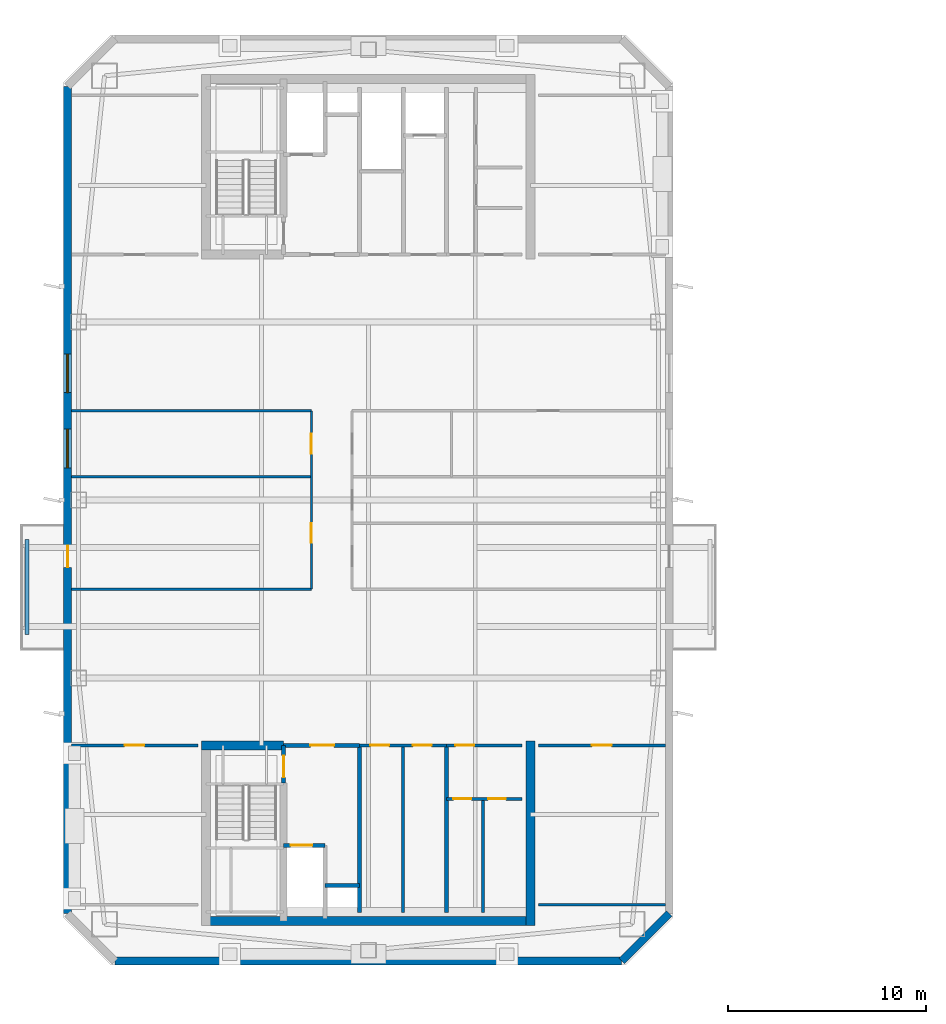
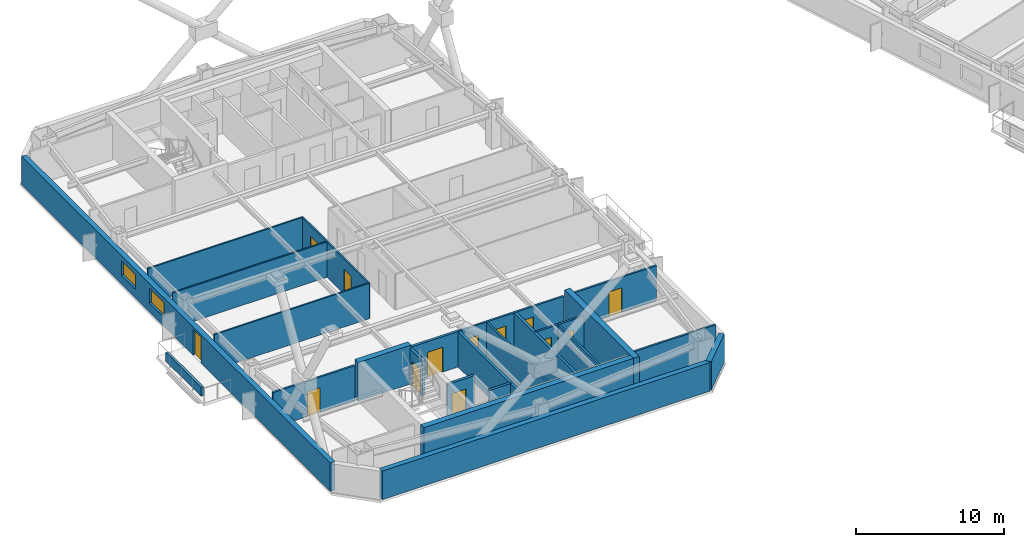
# One storey, part 6 of 18: 25 walls, 13 doors, 2 windows, 15 openings.
"""IFC4 building model written with IfcOpenShell, lengths in metres."""

from ifc_helpers import new_model, si_unit, direction, frame, frame_2d, origin, place, context, subcontext, project, spatial, rectangle, extrude, material, layer, layer_set, type_object, element, fill, save


model = new_model("IFC4")

# Units and contexts
model_context = context("Model", 3, precision=1e-05, world=origin(), true_north=direction((0.0, 1.0)))
body_context = subcontext(model_context, "Body", "Model", "MODEL_VIEW")
ifc_project = project(units=[si_unit("LENGTHUNIT", "METRE"), si_unit("AREAUNIT", "SQUARE_METRE"), si_unit("VOLUMEUNIT", "CUBIC_METRE"), si_unit("PLANEANGLEUNIT", "RADIAN"), si_unit("MASSUNIT", "GRAM", prefix="KILO")], contexts=[model_context])

# Site, building, storey
site_placement = place(None, origin())
site = spatial("IfcSite", under=ifc_project, at=site_placement, CompositionType="ELEMENT")
building_placement = place(site_placement, origin())
building = spatial("IfcBuilding", under=site, at=building_placement, Name="Qiaolan Cultural Towers", CompositionType="ELEMENT")
storey_placement = place(building_placement, frame((0.0, 0.0, 237.60009765625)))
storey = spatial("IfcBuildingStorey", under=building, at=storey_placement, Name="L64", CompositionType="ELEMENT", Elevation=237.60009765625)

# Walls
ifc_material_1 = material(Name="Concrete C50", Category="concrete")
ifc_layer_1 = layer(ifc_material_1, 0.449951171875)
ifc_layer_set_1 = layer_set([ifc_layer_1], Name="Concrete C50")
wall_type_1 = type_object("IfcWallType", Name="WL-CORE-450", PredefinedType="SHEAR", material=ifc_layer_set_1)
wall_1_placement = place(storey_placement, frame((21.574951171875, 12.719970703125, 0.0), z_axis=(0.0, 0.0, 1.0), x_axis=(1.0, 0.0, 0.0)))
element("IfcWall", 1, at=wall_1_placement, inside=storey, type_object=wall_type_1, Name="L64 T1-CS Outer Core Shear Wall", PredefinedType="SHEAR", context=body_context, shape_type="SweptSolid", body=[
    extrude(rectangle(XDim=16.85009765625, YDim=0.449951171875, at=frame_2d((8.425048828125, 0.0))), origin(), (0.0, 0.0, 1.0), 3.199951171875),
])
wall_2_placement = place(storey_placement, frame((38.199951171875, 21.824951171875, 0.0), z_axis=(0.0, 0.0, 1.0), x_axis=(0.0, -1.0, 0.0)))
element("IfcWall", 2, at=wall_2_placement, inside=storey, type_object=wall_type_1, Name="L64 T1-CS East Core Shear Wall", PredefinedType="SHEAR", context=body_context, shape_type="SweptSolid", body=[
    extrude(rectangle(XDim=9.329833984375, YDim=0.449951171875, at=frame_2d((4.6650390625, 0.0))), origin(), (0.0, 0.0, 1.0), 3.199951171875),
])
wall_3_placement = place(storey_placement, frame((21.574951171875, 21.60009765625, 0.0), z_axis=(0.0, 0.0, 1.0), x_axis=(1.0, 0.0, 0.0)))
element("IfcWall", 3, at=wall_3_placement, inside=storey, type_object=wall_type_1, Name="L64 T1-CS Stair Front Shear Wall", PredefinedType="SHEAR", context=body_context, shape_type="SweptSolid", body=[
    extrude(rectangle(XDim=4.14501953125, YDim=0.449951171875, at=frame_2d((2.072509765625, 0.0))), origin(), (0.0, 0.0, 1.0), 3.199951171875),
])

# Wall, openings, door, windows
ifc_material_2 = material(Name="Precast Concrete C50 Honed Stone Pier", Category="masonry")
ifc_layer_2 = layer(ifc_material_2, 0.39990234375)
ifc_layer_set_2 = layer_set([ifc_layer_2], Name="Precast Concrete C50 Honed Stone Pier")
wall_type_2 = type_object("IfcWallType", Name="WL-EXT-PIER-400", PredefinedType="SOLIDWALL", material=ifc_layer_set_2)
wall_4_placement = place(storey_placement, frame((14.800048828125, 13.10009765625, 0.0), z_axis=(0.0, 0.0, 1.0), x_axis=(0.0, 1.0, 0.0)))
wall_4 = element("IfcWall", 4, at=wall_4_placement, inside=storey, type_object=wall_type_2, Name="L64 West Tower Precast Pier Facade Wall F1", PredefinedType="SOLIDWALL", context=body_context, shape_type="SweptSolid", body=[
    extrude(rectangle(XDim=41.7998046875, YDim=0.39990234375, at=frame_2d((20.89990234375, 0.0))), origin(), (0.0, 0.0, 1.0), 2.35986328125),
])
opening_1_placement = place(wall_4_placement, frame((22.52490234375, 0.0, 0.75)))
opening_1 = element("IfcOpeningElement", 5, at=opening_1_placement, cuts=wall_4, Name="Opening W-06", PredefinedType="OPENING", context=body_context, shape_type="SweptSolid", body=[
    extrude(rectangle(XDim=1.949951171875, YDim=1.2099609375, at=frame_2d((0.97509765625, 0.60498046875))), frame((0.0, 0.2099609375, 0.0), z_axis=(0.0, -1.0, 0.0), x_axis=(1.0, 0.0, 0.0)), (0.0, 0.0, 1.0), 0.419921875),
])
opening_2_placement = place(wall_4_placement, frame((26.324951171875, 0.0, 0.75)))
opening_2 = element("IfcOpeningElement", 6, at=opening_2_placement, cuts=wall_4, Name="Opening W-06", PredefinedType="OPENING", context=body_context, shape_type="SweptSolid", body=[
    extrude(rectangle(XDim=1.949951171875, YDim=1.2099609375, at=frame_2d((0.97509765625, 0.60498046875))), frame((0.0, 0.2099609375, 0.0), z_axis=(0.0, -1.0, 0.0), x_axis=(1.0, 0.0, 0.0)), (0.0, 0.0, 1.0), 0.419921875),
])
opening_3_placement = place(wall_4_placement, frame((17.5, 0.0, 0.0)))
opening_3 = element("IfcOpeningElement", 7, at=opening_3_placement, cuts=wall_4, Name="Opening BD-01", PredefinedType="OPENING", context=body_context, shape_type="SweptSolid", body=[
    extrude(rectangle(XDim=1.10009765625, YDim=2.14990234375, at=frame_2d((0.550048828125, 1.074951171875))), frame((0.0, 0.2099609375, 0.0), z_axis=(0.0, -1.0, 0.0), x_axis=(1.0, 0.0, 0.0)), (0.0, 0.0, 1.0), 0.419921875),
])
ifc_material_3 = material(Name="Thermally Broken Aluminium Glazed Terrace Door", Category="aluminium")
door_type_1 = type_object("IfcDoorType", Name="DR-BAL-1100", OperationType="NOTDEFINED", PredefinedType="DOOR", material=ifc_material_3)
door_1_placement = place(opening_3_placement, origin())
door_1 = element("IfcDoor", 8, at=door_1_placement, inside=storey, type_object=door_type_1, Name="L64 T1 West Tree Balcony Door", OperationType="SINGLE_SWING_LEFT", OverallHeight=2.14990234375, OverallWidth=1.10009765625, PredefinedType="DOOR", context=body_context, shape_type="SweptSolid", body=[
    extrude(rectangle(XDim=1.10009765625, YDim=2.14990234375, at=frame_2d((0.550048828125, 1.074951171875))), frame((0.0, 0.02490234375, 0.0), z_axis=(0.0, -1.0, 0.0), x_axis=(1.0, 0.0, 0.0)), (0.0, 0.0, 1.0), 0.050048828125),
])
fill(opening_3, door_1)
ifc_material_4 = material(Name="Thermally Broken Aluminium Triple Low-E Glazing", Category="aluminium")
window_type = type_object("IfcWindowType", Name="WN-CHIC-1950", PartitioningType="SINGLE_PANEL", PredefinedType="WINDOW", material=ifc_material_4)
window_1_placement = place(opening_1_placement, origin())
window_1 = element("IfcWindow", 9, at=window_1_placement, inside=storey, type_object=window_type, Name="L64 T1 W Chicago Bay Window 1", OverallHeight=1.2099609375, OverallWidth=1.949951171875, PartitioningType="TRIPLE_PANEL_VERTICAL", PredefinedType="WINDOW", context=body_context, shape_type="SweptSolid", body=[
    extrude(rectangle(XDim=1.949951171875, YDim=1.2099609375, at=frame_2d((0.97509765625, 0.60498046875))), frame((0.0, 0.030029296875, 0.0), z_axis=(0.0, -1.0, 0.0), x_axis=(1.0, 0.0, 0.0)), (0.0, 0.0, 1.0), 0.06005859375),
])
fill(opening_1, window_1)
window_2_placement = place(opening_2_placement, origin())
window_2 = element("IfcWindow", 10, at=window_2_placement, inside=storey, type_object=window_type, Name="L64 T1 W Chicago Bay Window 2", OverallHeight=1.2099609375, OverallWidth=1.949951171875, PartitioningType="TRIPLE_PANEL_VERTICAL", PredefinedType="WINDOW", context=body_context, shape_type="SweptSolid", body=[
    extrude(rectangle(XDim=1.949951171875, YDim=1.2099609375, at=frame_2d((0.97509765625, 0.60498046875))), frame((0.0, 0.030029296875, 0.0), z_axis=(0.0, -1.0, 0.0), x_axis=(1.0, 0.0, 0.0)), (0.0, 0.0, 1.0), 0.06005859375),
])
fill(opening_2, window_2)

# Walls
wall_5_placement = place(storey_placement, frame((45.199951171875, 13.10009765625, 0.0), z_axis=(0.0, 0.0, 1.0), x_axis=(-0.707070815327, -0.707142745217, 0.0)))
element("IfcWall", 11, at=wall_5_placement, inside=storey, type_object=wall_type_2, Name="L64 West Tower Precast Pier Facade Wall F6", PredefinedType="SOLIDWALL", context=body_context, shape_type="SweptSolid", body=[
    extrude(rectangle(XDim=3.39404296875, YDim=0.39990234375, at=frame_2d((1.697021484375, 0.0))), origin(), (0.0, 0.0, 1.0), 2.35986328125),
])
wall_6_placement = place(storey_placement, frame((42.800048828125, 10.699951171875, 0.0), z_axis=(0.0, 0.0, 1.0), x_axis=(-1.0, 0.0, 0.0)))
element("IfcWall", 12, at=wall_6_placement, inside=storey, type_object=wall_type_2, Name="L64 West Tower Precast Pier Facade Wall F7", PredefinedType="SOLIDWALL", context=body_context, shape_type="SweptSolid", body=[
    extrude(rectangle(XDim=25.60009765625, YDim=0.39990234375, at=frame_2d((12.800048828125, 0.0))), origin(), (0.0, 0.0, 1.0), 2.35986328125),
])

# Wall, opening, door
ifc_material_5 = material(Name="Concrete C35 Fire Wall", Category="concrete")
ifc_layer_3 = layer(ifc_material_5, 0.199951171875)
ifc_layer_set_3 = layer_set([ifc_layer_3], Name="Concrete C35 Fire Wall")
wall_type_3 = type_object("IfcWallType", Name="WL-FIRE-200", PredefinedType="PARTITIONING", material=ifc_layer_set_3)
wall_7_placement = place(storey_placement, frame((25.719970703125, 21.60009765625, 0.0), z_axis=(0.0, 0.0, 1.0), x_axis=(0.0, -1.0, 0.0)))
wall_7 = element("IfcWall", 13, at=wall_7_placement, inside=storey, type_object=wall_type_3, Name="L64 T1-CS Smokeproof Stair Entry Wall", PredefinedType="PARTITIONING", context=body_context, shape_type="SweptSolid", body=[
    extrude(rectangle(XDim=1.900146484375, YDim=0.199951171875, at=frame_2d((0.9501953125, 0.0))), origin(), (0.0, 0.0, 1.0), 2.9248046875),
])
opening_4_placement = place(wall_7_placement, frame((0.52001953125, 0.0, 0.0)))
opening_4 = element("IfcOpeningElement", 14, at=opening_4_placement, cuts=wall_7, Name="Opening FD-04", PredefinedType="OPENING", context=body_context, shape_type="SweptSolid", body=[
    extrude(rectangle(XDim=1.10009765625, YDim=2.050048828125, at=frame_2d((0.550048828125, 1.02490234375))), frame((0.0, 0.10986328125, 0.0), z_axis=(0.0, -1.0, 0.0), x_axis=(1.0, 0.0, 0.0)), (0.0, 0.0, 1.0), 0.219970703125),
])
ifc_material_6 = material(Name="Galvanized Steel Command Fire Door", Category="steel")
door_type_2 = type_object("IfcDoorType", Name="DR-FD90-1100", OperationType="NOTDEFINED", PredefinedType="DOOR", material=ifc_material_6)
door_2_placement = place(opening_4_placement, origin())
door_2 = element("IfcDoor", 15, at=door_2_placement, inside=storey, type_object=door_type_2, Name="L64 ST-W1 Smokeproof Stair Fire Door", OperationType="SINGLE_SWING_LEFT", OverallHeight=2.050048828125, OverallWidth=1.10009765625, PredefinedType="DOOR", context=body_context, shape_type="SweptSolid", body=[
    extrude(rectangle(XDim=1.10009765625, YDim=2.050048828125, at=frame_2d((0.550048828125, 1.02490234375))), frame((0.0, 0.02490234375, 0.0), z_axis=(0.0, -1.0, 0.0), x_axis=(1.0, 0.0, 0.0)), (0.0, 0.0, 1.0), 0.050048828125),
])
fill(opening_4, door_2)

# Wall
wall_8_placement = place(storey_placement, frame((29.550048828125, 21.60009765625, 0.0), z_axis=(0.0, 0.0, 1.0), x_axis=(0.0, -1.0, 0.0)))
element("IfcWall", 16, at=wall_8_placement, inside=storey, type_object=wall_type_3, Name="L64 T1-CS Firefighting Zone Wall", PredefinedType="PARTITIONING", context=body_context, shape_type="SweptSolid", body=[
    extrude(rectangle(XDim=8.43017578125, YDim=0.199951171875, at=frame_2d((4.215087890625, 0.0))), origin(), (0.0, 0.0, 1.0), 2.9248046875),
])

# Wall, opening, door
wall_9_placement = place(storey_placement, frame((25.719970703125, 21.60009765625, 0.0), z_axis=(0.0, 0.0, 1.0), x_axis=(1.0, 0.0, 0.0)))
wall_9 = element("IfcWall", 17, at=wall_9_placement, inside=storey, type_object=wall_type_3, Name="L64 T1-CS Firefighting Lobby Front Wall", PredefinedType="PARTITIONING", context=body_context, shape_type="SweptSolid", body=[
    extrude(rectangle(XDim=3.830078125, YDim=0.199951171875, at=frame_2d((1.9150390625, 0.0))), origin(), (0.0, 0.0, 1.0), 2.9248046875),
])
opening_5_placement = place(wall_9_placement, frame((1.35009765625, 0.0, 0.0)))
opening_5 = element("IfcOpeningElement", 18, at=opening_5_placement, cuts=wall_9, Name="Opening FD-03", PredefinedType="OPENING", context=body_context, shape_type="SweptSolid", body=[
    extrude(rectangle(XDim=1.199951171875, YDim=2.050048828125, at=frame_2d((0.60009765625, 1.02490234375))), frame((0.0, 0.10986328125, 0.0), z_axis=(0.0, -1.0, 0.0), x_axis=(1.0, 0.0, 0.0)), (0.0, 0.0, 1.0), 0.219970703125),
])
ifc_material_7 = material(Name="Galvanized Steel Smokeproof Lobby Fire Door", Category="steel")
door_type_3 = type_object("IfcDoorType", Name="DR-FD90-1200", OperationType="NOTDEFINED", PredefinedType="DOOR", material=ifc_material_7)
door_3_placement = place(opening_5_placement, origin())
door_3 = element("IfcDoor", 19, at=door_3_placement, inside=storey, type_object=door_type_3, Name="L64 FFL-W1 Firefighting Lobby Fire Door", OperationType="SINGLE_SWING_LEFT", OverallHeight=2.050048828125, OverallWidth=1.199951171875, PredefinedType="DOOR", context=body_context, shape_type="SweptSolid", body=[
    extrude(rectangle(XDim=1.199951171875, YDim=2.050048828125, at=frame_2d((0.60009765625, 1.02490234375))), frame((0.0, 0.02490234375, 0.0), z_axis=(0.0, -1.0, 0.0), x_axis=(1.0, 0.0, 0.0)), (0.0, 0.0, 1.0), 0.050048828125),
])
fill(opening_5, door_3)

wall_10_placement = place(storey_placement, frame((25.719970703125, 16.550048828125, 0.0), z_axis=(0.0, 0.0, 1.0), x_axis=(1.0, 0.0, 0.0)))
wall_10 = element("IfcWall", 20, at=wall_10_placement, inside=storey, type_object=wall_type_3, Name="L64 T1-CS Firefighting Shaft Front Wall", PredefinedType="PARTITIONING", context=body_context, shape_type="SweptSolid", body=[
    extrude(rectangle(XDim=2.10009765625, YDim=0.199951171875, at=frame_2d((1.050048828125, 0.0))), origin(), (0.0, 0.0, 1.0), 2.9248046875),
])
opening_6_placement = place(wall_10_placement, frame((0.35009765625, 0.0, 0.0)))
opening_6 = element("IfcOpeningElement", 21, at=opening_6_placement, cuts=wall_10, Name="Opening LD-01", PredefinedType="OPENING", context=body_context, shape_type="SweptSolid", body=[
    extrude(rectangle(XDim=1.10009765625, YDim=2.050048828125, at=frame_2d((0.550048828125, 1.02490234375))), frame((0.0, 0.10986328125, 0.0), z_axis=(0.0, -1.0, 0.0), x_axis=(1.0, 0.0, 0.0)), (0.0, 0.0, 1.0), 0.219970703125),
])
ifc_material_8 = material(Name="Brushed Stainless Steel S30408 Centre-Parting Lift Landing Door", Category="steel")
door_type_4 = type_object("IfcDoorType", Name="DR-LIFT-1100", OperationType="NOTDEFINED", PredefinedType="DOOR", material=ifc_material_8)
door_4_placement = place(opening_6_placement, origin())
door_4 = element("IfcDoor", 22, at=door_4_placement, inside=storey, type_object=door_type_4, Name="L64 FFL-W1 Firefighting Lift Landing Door", OperationType="DOUBLE_DOOR_SLIDING", OverallHeight=2.050048828125, OverallWidth=1.10009765625, PredefinedType="DOOR", context=body_context, shape_type="SweptSolid", body=[
    extrude(rectangle(XDim=1.10009765625, YDim=2.050048828125, at=frame_2d((0.550048828125, 1.02490234375))), frame((0.0, 0.02490234375, 0.0), z_axis=(0.0, -1.0, 0.0), x_axis=(1.0, 0.0, 0.0)), (0.0, 0.0, 1.0), 0.050048828125),
])
fill(opening_6, door_4)

# Walls
wall_11_placement = place(storey_placement, frame((27.820068359375, 14.52001953125, 0.0), z_axis=(0.0, 0.0, 1.0), x_axis=(1.0, 0.0, 0.0)))
element("IfcWall", 23, at=wall_11_placement, inside=storey, type_object=wall_type_3, Name="L64 T1-CS Pressurization Shaft Front Wall", PredefinedType="PARTITIONING", context=body_context, shape_type="SweptSolid", body=[
    extrude(rectangle(XDim=1.72998046875, YDim=0.199951171875, at=frame_2d((0.864990234375, 0.0))), origin(), (0.0, 0.0, 1.0), 2.9248046875),
])
wall_12_placement = place(storey_placement, frame((33.949951171875, 21.60009765625, 0.0), z_axis=(0.0, 0.0, 1.0), x_axis=(0.0, -1.0, 0.0)))
element("IfcWall", 24, at=wall_12_placement, inside=storey, type_object=wall_type_3, Name="L64 T1-CS Lift Core East Wall", PredefinedType="PARTITIONING", context=body_context, shape_type="SweptSolid", body=[
    extrude(rectangle(XDim=8.43017578125, YDim=0.199951171875, at=frame_2d((4.215087890625, 0.0))), origin(), (0.0, 0.0, 1.0), 2.9248046875),
])
ifc_material_9 = material(Name="Gypsum Stud Acoustic Partition", Category="gypsum")
ifc_layer_4 = layer(ifc_material_9, 0.1201171875)
ifc_layer_set_4 = layer_set([ifc_layer_4], Name="Gypsum Stud Acoustic Partition")
wall_type_4 = type_object("IfcWallType", Name="WL-PART-120", PredefinedType="PARTITIONING", material=ifc_layer_set_4)
for number, where, z_axis, x_axis, name in (
    (25, (15.0, 29.5, 0.0), (0.0, 0.0, 1.0), (1.0, 0.0, 0.0), "L64 T1 South Foyer West Wall"),
    (26, (15.0, 38.5, 0.0), (0.0, 0.0, 1.0), (1.0, 0.0, 0.0), "L64 T1 North Foyer West Wall"),
):
    element("IfcWall", number, at=place(storey_placement, frame(where, z_axis=z_axis, x_axis=x_axis)), inside=storey, type_object=wall_type_4, Name=name, PredefinedType="PARTITIONING", context=body_context, shape_type="SweptSolid", body=[
        extrude(rectangle(XDim=12.125, YDim=0.1201171875, at=frame_2d((6.0625, 0.0))), origin(), (0.0, 0.0, 1.0), 2.9248046875),
    ])

# Wall, openings, doors
wall_13_placement = place(storey_placement, frame((27.125, 29.5, 0.0), z_axis=(0.0, 0.0, 1.0), x_axis=(0.0, 1.0, 0.0)))
wall_13 = element("IfcWall", 27, at=wall_13_placement, inside=storey, type_object=wall_type_4, Name="L64 T1 Central Spine West Wall", PredefinedType="PARTITIONING", context=body_context, shape_type="SweptSolid", body=[
    extrude(rectangle(XDim=9.0, YDim=0.1201171875, at=frame_2d((4.5, 0.0))), origin(), (0.0, 0.0, 1.0), 2.9248046875),
])
opening_7_placement = place(wall_13_placement, frame((2.3349609375, 0.0, 0.0)))
opening_7 = element("IfcOpeningElement", 28, at=opening_7_placement, cuts=wall_13, Name="Opening ID-04", PredefinedType="OPENING", context=body_context, shape_type="SweptSolid", body=[
    extrude(rectangle(XDim=1.0, YDim=2.050048828125, at=frame_2d((0.5, 1.02490234375))), frame((0.0, 0.070068359375, 0.0), z_axis=(0.0, -1.0, 0.0), x_axis=(1.0, 0.0, 0.0)), (0.0, 0.0, 1.0), 0.14013671875),
])
opening_8_placement = place(wall_13_placement, frame((6.8349609375, 0.0, 0.0)))
opening_8 = element("IfcOpeningElement", 29, at=opening_8_placement, cuts=wall_13, Name="Opening ID-04", PredefinedType="OPENING", context=body_context, shape_type="SweptSolid", body=[
    extrude(rectangle(XDim=1.0, YDim=2.050048828125, at=frame_2d((0.5, 1.02490234375))), frame((0.0, 0.070068359375, 0.0), z_axis=(0.0, -1.0, 0.0), x_axis=(1.0, 0.0, 0.0)), (0.0, 0.0, 1.0), 0.14013671875),
])
ifc_material_10 = material(Name="Oak Veneer Acoustic Office Door", Category="timber")
door_type_5 = type_object("IfcDoorType", Name="DR-INT-1000", OperationType="NOTDEFINED", PredefinedType="DOOR", material=ifc_material_10)
door_5_placement = place(opening_7_placement, origin())
door_5 = element("IfcDoor", 30, at=door_5_placement, inside=storey, type_object=door_type_5, Name="L64 T1 Presidential Conference Room Door", OperationType="SINGLE_SWING_LEFT", OverallHeight=2.050048828125, OverallWidth=1.0, PredefinedType="DOOR", context=body_context, shape_type="SweptSolid", body=[
    extrude(rectangle(XDim=1.0, YDim=2.050048828125, at=frame_2d((0.5, 1.02490234375))), frame((0.0, 0.02490234375, 0.0), z_axis=(0.0, -1.0, 0.0), x_axis=(1.0, 0.0, 0.0)), (0.0, 0.0, 1.0), 0.050048828125),
])
fill(opening_7, door_5)
door_6_placement = place(opening_8_placement, origin())
door_6 = element("IfcDoor", 31, at=door_6_placement, inside=storey, type_object=door_type_5, Name="L64 T1 Diplomatic Lounge Door", OperationType="SINGLE_SWING_RIGHT", OverallHeight=2.050048828125, OverallWidth=1.0, PredefinedType="DOOR", context=body_context, shape_type="SweptSolid", body=[
    extrude(rectangle(XDim=1.0, YDim=2.050048828125, at=frame_2d((0.5, 1.02490234375))), frame((0.0, 0.02490234375, 0.0), z_axis=(0.0, -1.0, 0.0), x_axis=(1.0, 0.0, 0.0)), (0.0, 0.0, 1.0), 0.050048828125),
])
fill(opening_8, door_6)

# Wall
wall_14_placement = place(storey_placement, frame((15.0, 35.169921875, 0.0), z_axis=(0.0, 0.0, 1.0), x_axis=(1.0, 0.0, 0.0)))
element("IfcWall", 32, at=wall_14_placement, inside=storey, type_object=wall_type_4, Name="L64 T1 Interior Wall", PredefinedType="PARTITIONING", context=body_context, shape_type="SweptSolid", body=[
    extrude(rectangle(XDim=12.125, YDim=0.1201171875, at=frame_2d((6.0625, 0.0))), origin(), (0.0, 0.0, 1.0), 2.9248046875),
])

# Wall, openings, doors
ifc_material_11 = material(Name="Autoclaved Aerated Concrete Block B06", Category="concrete")
ifc_layer_5 = layer(ifc_material_11, 0.14990234375)
ifc_layer_set_5 = layer_set([ifc_layer_5], Name="Autoclaved Aerated Concrete Block B06")
wall_type_5 = type_object("IfcWallType", Name="WL-PART-150", PredefinedType="PARTITIONING", material=ifc_layer_set_5)
wall_15_placement = place(storey_placement, frame((29.550048828125, 21.60009765625, 0.0), z_axis=(0.0, 0.0, 1.0), x_axis=(1.0, 0.0, 0.0)))
wall_15 = element("IfcWall", 33, at=wall_15_placement, inside=storey, type_object=wall_type_5, Name="L64 T1-CS Reclaimed Core Room Front Wall", PredefinedType="PARTITIONING", context=body_context, shape_type="SweptSolid", body=[
    extrude(rectangle(XDim=4.39990234375, YDim=0.14990234375, at=frame_2d((2.199951171875, 0.0))), origin(), (0.0, 0.0, 1.0), 2.9248046875),
])
opening_9_placement = place(wall_15_placement, frame((0.550048828125, 0.0, 0.0)))
opening_9 = element("IfcOpeningElement", 34, at=opening_9_placement, cuts=wall_15, Name="Opening ID-05", PredefinedType="OPENING", context=body_context, shape_type="SweptSolid", body=[
    extrude(rectangle(XDim=0.949951171875, YDim=2.050048828125, at=frame_2d((0.47509765625, 1.02490234375))), frame((0.0, 0.0849609375, 0.0), z_axis=(0.0, -1.0, 0.0), x_axis=(1.0, 0.0, 0.0)), (0.0, 0.0, 1.0), 0.169921875),
])
opening_10_placement = place(wall_15_placement, frame((2.699951171875, 0.0, 0.0)))
opening_10 = element("IfcOpeningElement", 35, at=opening_10_placement, cuts=wall_15, Name="Opening ID-05", PredefinedType="OPENING", context=body_context, shape_type="SweptSolid", body=[
    extrude(rectangle(XDim=0.949951171875, YDim=2.050048828125, at=frame_2d((0.47509765625, 1.02490234375))), frame((0.0, 0.0849609375, 0.0), z_axis=(0.0, -1.0, 0.0), x_axis=(1.0, 0.0, 0.0)), (0.0, 0.0, 1.0), 0.169921875),
])
ifc_material_12 = material(Name="Fire-Rated Laminate Accessible Core Door", Category="timber")
door_type_6 = type_object("IfcDoorType", Name="DR-INT-950", OperationType="NOTDEFINED", PredefinedType="DOOR", material=ifc_material_12)
door_7_placement = place(opening_9_placement, origin())
door_7 = element("IfcDoor", 36, at=door_7_placement, inside=storey, type_object=door_type_6, Name="L64 Copy Print Room Door", OperationType="SINGLE_SWING_LEFT", OverallHeight=2.050048828125, OverallWidth=0.949951171875, PredefinedType="DOOR", context=body_context, shape_type="SweptSolid", body=[
    extrude(rectangle(XDim=0.949951171875, YDim=2.050048828125, at=frame_2d((0.47509765625, 1.02490234375))), frame((0.0, 0.02490234375, 0.0), z_axis=(0.0, -1.0, 0.0), x_axis=(1.0, 0.0, 0.0)), (0.0, 0.0, 1.0), 0.050048828125),
])
fill(opening_9, door_7)
door_8_placement = place(opening_10_placement, origin())
door_8 = element("IfcDoor", 37, at=door_8_placement, inside=storey, type_object=door_type_6, Name="L64 Tea Pantry Room Door", OperationType="SINGLE_SWING_RIGHT", OverallHeight=2.050048828125, OverallWidth=0.949951171875, PredefinedType="DOOR", context=body_context, shape_type="SweptSolid", body=[
    extrude(rectangle(XDim=0.949951171875, YDim=2.050048828125, at=frame_2d((0.47509765625, 1.02490234375))), frame((0.0, 0.02490234375, 0.0), z_axis=(0.0, -1.0, 0.0), x_axis=(1.0, 0.0, 0.0)), (0.0, 0.0, 1.0), 0.050048828125),
])
fill(opening_10, door_8)

# Wall
wall_16_placement = place(storey_placement, frame((31.75, 21.60009765625, 0.0), z_axis=(0.0, 0.0, 1.0), x_axis=(0.0, -1.0, 0.0)))
element("IfcWall", 38, at=wall_16_placement, inside=storey, type_object=wall_type_5, Name="L64 T1-CS Reclaimed Twin Room Wall", PredefinedType="PARTITIONING", context=body_context, shape_type="SweptSolid", body=[
    extrude(rectangle(XDim=8.43017578125, YDim=0.14990234375, at=frame_2d((4.215087890625, 0.0))), origin(), (0.0, 0.0, 1.0), 2.9248046875),
])

# Wall, opening, door
wall_17_placement = place(storey_placement, frame((33.949951171875, 21.60009765625, 0.0), z_axis=(0.0, 0.0, 1.0), x_axis=(1.0, 0.0, 0.0)))
wall_17 = element("IfcWall", 39, at=wall_17_placement, inside=storey, type_object=wall_type_5, Name="L64 T1-CS Sanitary Core Front Wall", PredefinedType="PARTITIONING", context=body_context, shape_type="SweptSolid", body=[
    extrude(rectangle(XDim=3.800048828125, YDim=0.14990234375, at=frame_2d((1.89990234375, 0.0))), origin(), (0.0, 0.0, 1.0), 2.9248046875),
])
opening_11_placement = place(wall_17_placement, frame((0.449951171875, 0.0, 0.0)))
opening_11 = element("IfcOpeningElement", 40, at=opening_11_placement, cuts=wall_17, Name="Opening ID-05", PredefinedType="OPENING", context=body_context, shape_type="SweptSolid", body=[
    extrude(rectangle(XDim=0.949951171875, YDim=2.050048828125, at=frame_2d((0.47509765625, 1.02490234375))), frame((0.0, 0.0849609375, 0.0), z_axis=(0.0, -1.0, 0.0), x_axis=(1.0, 0.0, 0.0)), (0.0, 0.0, 1.0), 0.169921875),
])
door_9_placement = place(opening_11_placement, origin())
door_9 = element("IfcDoor", 41, at=door_9_placement, inside=storey, type_object=door_type_6, Name="L64 Sanitary Vestibule Door", OperationType="SINGLE_SWING_LEFT", OverallHeight=2.050048828125, OverallWidth=0.949951171875, PredefinedType="DOOR", context=body_context, shape_type="SweptSolid", body=[
    extrude(rectangle(XDim=0.949951171875, YDim=2.050048828125, at=frame_2d((0.47509765625, 1.02490234375))), frame((0.0, 0.02490234375, 0.0), z_axis=(0.0, -1.0, 0.0), x_axis=(1.0, 0.0, 0.0)), (0.0, 0.0, 1.0), 0.050048828125),
])
fill(opening_11, door_9)

# Wall, openings, doors
wall_18_placement = place(storey_placement, frame((33.949951171875, 18.89990234375, 0.0), z_axis=(0.0, 0.0, 1.0), x_axis=(1.0, 0.0, 0.0)))
wall_18 = element("IfcWall", 42, at=wall_18_placement, inside=storey, type_object=wall_type_5, Name="L64 T1-CS Restroom Vestibule Wall", PredefinedType="PARTITIONING", context=body_context, shape_type="SweptSolid", body=[
    extrude(rectangle(XDim=3.800048828125, YDim=0.14990234375, at=frame_2d((1.89990234375, 0.0))), origin(), (0.0, 0.0, 1.0), 2.9248046875),
])
opening_12_placement = place(wall_18_placement, frame((0.35009765625, 0.0, 0.0)))
opening_12 = element("IfcOpeningElement", 43, at=opening_12_placement, cuts=wall_18, Name="Opening ID-06", PredefinedType="OPENING", context=body_context, shape_type="SweptSolid", body=[
    extrude(rectangle(XDim=0.89990234375, YDim=2.050048828125, at=frame_2d((0.449951171875, 1.02490234375))), frame((0.0, 0.0849609375, 0.0), z_axis=(0.0, -1.0, 0.0), x_axis=(1.0, 0.0, 0.0)), (0.0, 0.0, 1.0), 0.169921875),
])
opening_13_placement = place(wall_18_placement, frame((2.10009765625, 0.0, 0.0)))
opening_13 = element("IfcOpeningElement", 44, at=opening_13_placement, cuts=wall_18, Name="Opening ID-06", PredefinedType="OPENING", context=body_context, shape_type="SweptSolid", body=[
    extrude(rectangle(XDim=0.89990234375, YDim=2.050048828125, at=frame_2d((0.449951171875, 1.02490234375))), frame((0.0, 0.0849609375, 0.0), z_axis=(0.0, -1.0, 0.0), x_axis=(1.0, 0.0, 0.0)), (0.0, 0.0, 1.0), 0.169921875),
])
ifc_material_13 = material(Name="Fire-Rated Laminate Core Service Door", Category="timber")
door_type_7 = type_object("IfcDoorType", Name="DR-INT-900", OperationType="NOTDEFINED", PredefinedType="DOOR", material=ifc_material_13)
door_10_placement = place(opening_12_placement, origin())
door_10 = element("IfcDoor", 45, at=door_10_placement, inside=storey, type_object=door_type_7, Name="L64 Men Restroom Door", OperationType="SINGLE_SWING_LEFT", OverallHeight=2.050048828125, OverallWidth=0.89990234375, PredefinedType="DOOR", context=body_context, shape_type="SweptSolid", body=[
    extrude(rectangle(XDim=0.89990234375, YDim=2.050048828125, at=frame_2d((0.449951171875, 1.02490234375))), frame((0.0, 0.02490234375, 0.0), z_axis=(0.0, -1.0, 0.0), x_axis=(1.0, 0.0, 0.0)), (0.0, 0.0, 1.0), 0.050048828125),
])
fill(opening_12, door_10)
door_11_placement = place(opening_13_placement, origin())
door_11 = element("IfcDoor", 46, at=door_11_placement, inside=storey, type_object=door_type_7, Name="L64 Accessible & Women Restroom Door", OperationType="SINGLE_SWING_RIGHT", OverallHeight=2.050048828125, OverallWidth=0.89990234375, PredefinedType="DOOR", context=body_context, shape_type="SweptSolid", body=[
    extrude(rectangle(XDim=0.89990234375, YDim=2.050048828125, at=frame_2d((0.449951171875, 1.02490234375))), frame((0.0, 0.02490234375, 0.0), z_axis=(0.0, -1.0, 0.0), x_axis=(1.0, 0.0, 0.0)), (0.0, 0.0, 1.0), 0.050048828125),
])
fill(opening_13, door_11)

# Wall
wall_19_placement = place(storey_placement, frame((35.800048828125, 18.89990234375, 0.0), z_axis=(0.0, 0.0, 1.0), x_axis=(0.0, -1.0, 0.0)))
element("IfcWall", 47, at=wall_19_placement, inside=storey, type_object=wall_type_5, Name="L64 T1-CS Restroom Divider Wall", PredefinedType="PARTITIONING", context=body_context, shape_type="SweptSolid", body=[
    extrude(rectangle(XDim=5.72998046875, YDim=0.14990234375, at=frame_2d((2.864990234375, 0.0))), origin(), (0.0, 0.0, 1.0), 2.9248046875),
])

# Wall, opening, door
wall_20_placement = place(storey_placement, frame((15.0, 21.60009765625, 0.0), z_axis=(0.0, 0.0, 1.0), x_axis=(1.0, 0.0, 0.0)))
wall_20 = element("IfcWall", 48, at=wall_20_placement, inside=storey, type_object=wall_type_5, Name="L64 T1 Flank Front FLK-SW", PredefinedType="PARTITIONING", context=body_context, shape_type="SweptSolid", body=[
    extrude(rectangle(XDim=6.39990234375, YDim=0.14990234375, at=frame_2d((3.199951171875, 0.0))), origin(), (0.0, 0.0, 1.0), 2.9248046875),
])
opening_14_placement = place(wall_20_placement, frame((2.68798828125, 0.0, 0.0)))
opening_14 = element("IfcOpeningElement", 49, at=opening_14_placement, cuts=wall_20, Name="Opening ID-04", PredefinedType="OPENING", context=body_context, shape_type="SweptSolid", body=[
    extrude(rectangle(XDim=1.0, YDim=2.050048828125, at=frame_2d((0.5, 1.02490234375))), frame((0.0, 0.0849609375, 0.0), z_axis=(0.0, -1.0, 0.0), x_axis=(1.0, 0.0, 0.0)), (0.0, 0.0, 1.0), 0.169921875),
])
door_12_placement = place(opening_14_placement, origin())
door_12 = element("IfcDoor", 50, at=door_12_placement, inside=storey, type_object=door_type_5, Name="L64 T1 Corner Studio Door", OperationType="SINGLE_SWING_LEFT", OverallHeight=2.050048828125, OverallWidth=1.0, PredefinedType="DOOR", context=body_context, shape_type="SweptSolid", body=[
    extrude(rectangle(XDim=1.0, YDim=2.050048828125, at=frame_2d((0.5, 1.02490234375))), frame((0.0, 0.02490234375, 0.0), z_axis=(0.0, -1.0, 0.0), x_axis=(1.0, 0.0, 0.0)), (0.0, 0.0, 1.0), 0.050048828125),
])
fill(opening_14, door_12)

# Wall
wall_21_placement = place(storey_placement, frame((38.60009765625, 13.550048828125, 0.0), z_axis=(0.0, 0.0, 1.0), x_axis=(1.0, 0.0, 0.0)))
element("IfcWall", 51, at=wall_21_placement, inside=storey, type_object=wall_type_5, Name="L64 T1 Flank Wall FLK-SE", PredefinedType="PARTITIONING", context=body_context, shape_type="SweptSolid", body=[
    extrude(rectangle(XDim=6.39990234375, YDim=0.14990234375, at=frame_2d((3.199951171875, 0.0))), origin(), (0.0, 0.0, 1.0), 2.9248046875),
])

# Wall, opening, door
wall_22_placement = place(storey_placement, frame((38.60009765625, 21.60009765625, 0.0), z_axis=(0.0, 0.0, 1.0), x_axis=(1.0, 0.0, 0.0)))
wall_22 = element("IfcWall", 52, at=wall_22_placement, inside=storey, type_object=wall_type_5, Name="L64 T1 Flank Front FLK-SE", PredefinedType="PARTITIONING", context=body_context, shape_type="SweptSolid", body=[
    extrude(rectangle(XDim=6.39990234375, YDim=0.14990234375, at=frame_2d((3.199951171875, 0.0))), origin(), (0.0, 0.0, 1.0), 2.9248046875),
])
opening_15_placement = place(wall_22_placement, frame((2.68798828125, 0.0, 0.0)))
opening_15 = element("IfcOpeningElement", 53, at=opening_15_placement, cuts=wall_22, Name="Opening ID-04", PredefinedType="OPENING", context=body_context, shape_type="SweptSolid", body=[
    extrude(rectangle(XDim=1.0, YDim=2.050048828125, at=frame_2d((0.5, 1.02490234375))), frame((0.0, 0.0849609375, 0.0), z_axis=(0.0, -1.0, 0.0), x_axis=(1.0, 0.0, 0.0)), (0.0, 0.0, 1.0), 0.169921875),
])
door_13_placement = place(opening_15_placement, origin())
door_13 = element("IfcDoor", 54, at=door_13_placement, inside=storey, type_object=door_type_5, Name="L64 T1 Corner Studio Door", OperationType="SINGLE_SWING_LEFT", OverallHeight=2.050048828125, OverallWidth=1.0, PredefinedType="DOOR", context=body_context, shape_type="SweptSolid", body=[
    extrude(rectangle(XDim=1.0, YDim=2.050048828125, at=frame_2d((0.5, 1.02490234375))), frame((0.0, 0.02490234375, 0.0), z_axis=(0.0, -1.0, 0.0), x_axis=(1.0, 0.0, 0.0)), (0.0, 0.0, 1.0), 0.050048828125),
])
fill(opening_15, door_13)

# Wall
ifc_material_14 = material(Name="Precast Concrete C45 Tree Planter Upstand", Category="concrete")
ifc_layer_6 = layer(ifc_material_14, 0.199951171875)
ifc_layer_set_6 = layer_set([ifc_layer_6], Name="Precast Concrete C45 Tree Planter Upstand")
wall_type_6 = type_object("IfcWallType", Name="WL-PLANTER-200", PredefinedType="PARAPET", material=ifc_layer_set_6)
wall_23_placement = place(storey_placement, frame((12.75, 27.199951171875, 0.0), z_axis=(0.0, 0.0, 1.0), x_axis=(0.0, 1.0, 0.0)))
element("IfcWall", 55, at=wall_23_placement, inside=storey, type_object=wall_type_6, Name="L64 T1 Tree Balcony Soil Planter Box W", PredefinedType="PARAPET", context=body_context, shape_type="SweptSolid", body=[
    extrude(rectangle(XDim=4.800048828125, YDim=0.199951171875, at=frame_2d((2.39990234375, 0.0))), origin(), (0.0, 0.0, 1.0), 0.75),
])

save(model, "model.ifc")
